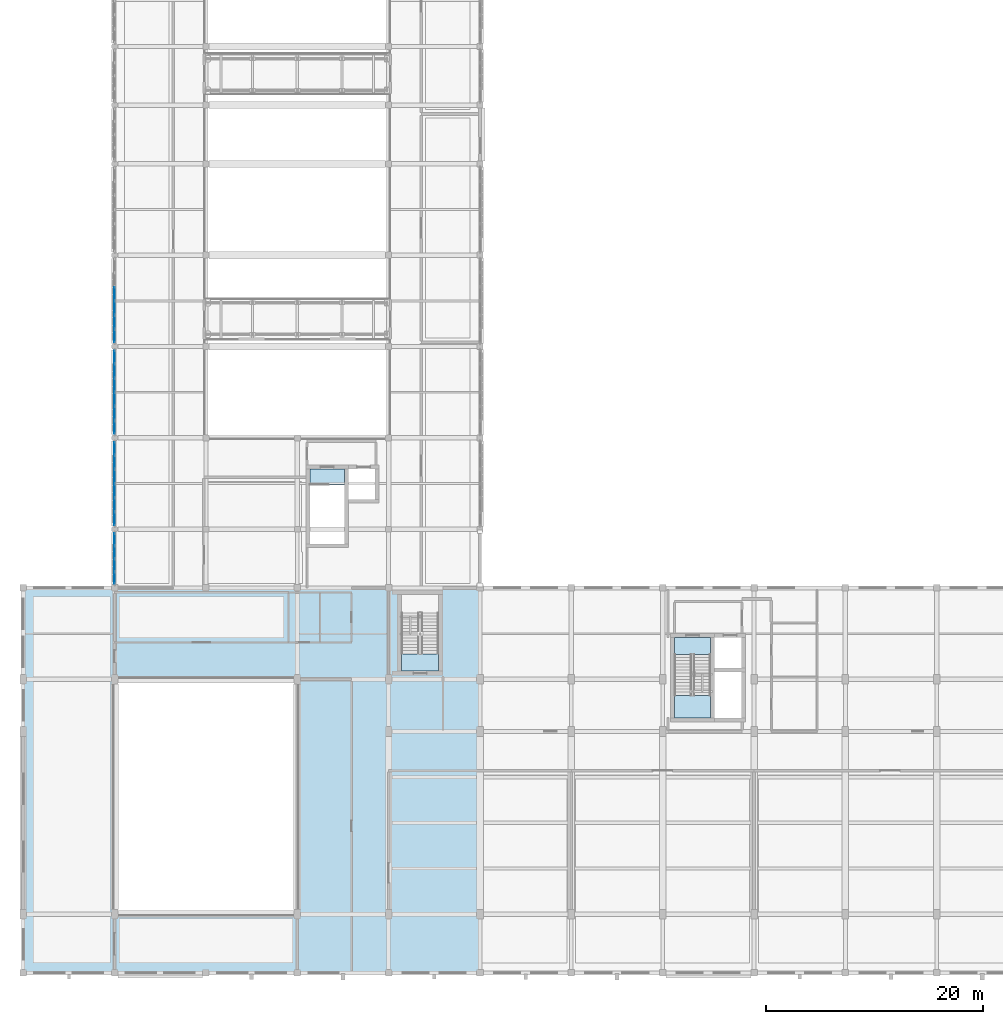
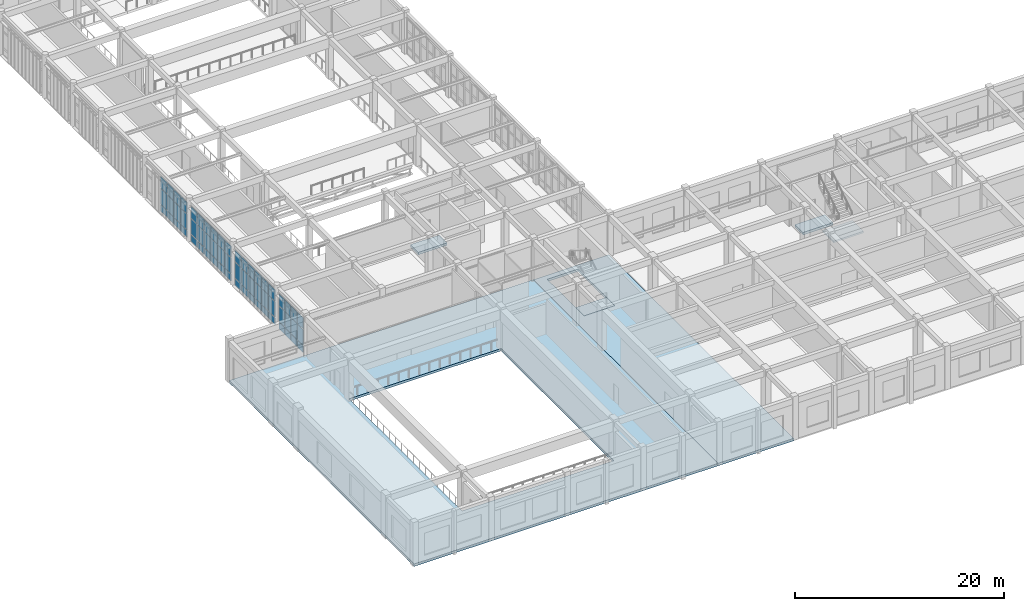
# One storey, part 44 of 77: 60 plates, 6 slabs, 5 elements without a shape of their own.
"""IFC4 building model written with IfcOpenShell, lengths in metres."""

import ifcopenshell
import ifcopenshell.guid

model = None  # the IFC model being written
_history = None  # IfcOwnerHistory: only IFC2X3 demands one
_inside = {}  # id of a spatial element -> (the spatial element, [elements in it])
_under = {}  # id of a project, library or spatial element -> (it, [spatial elements below it])
_declared = {}  # id of a project -> (the project, [libraries it declares])
_typed = {}  # id of a type object -> (the type object, [elements of that type])
_made_of = {}  # id of a material, layer set ... -> (it, [elements and type objects made of it])


def new_model(schema):
    """Start an empty IFC model of exactly this schema.

    Asked for "IFC4X3", IfcOpenShell would pick the latest addendum, in which some entities
    have other attributes; the version numbers below select the first issue.
    IFC2X3 requires an IfcOwnerHistory on every rooted entity: one is made here for all.
    """
    global model, _history
    if schema == "IFC4X3":
        model = ifcopenshell.file(schema_version=(4, 3, 0, 0))
    else:
        model = ifcopenshell.file(schema=schema)
    _inside.clear()
    _under.clear()
    _declared.clear()
    _typed.clear()
    _made_of.clear()
    _history = None
    if model.schema == "IFC2X3":
        org = make("IfcOrganization", Name="unknown")
        user = make(
            "IfcPersonAndOrganization",
            ThePerson=make("IfcPerson", FamilyName="unknown"),
            TheOrganization=org,
        )
        app = make(
            "IfcApplication",
            ApplicationDeveloper=org,
            Version="unknown",
            ApplicationFullName="unknown",
            ApplicationIdentifier="unknown",
        )
        _history = make(
            "IfcOwnerHistory",
            OwningUser=user,
            OwningApplication=app,
            ChangeAction="ADDED",
            CreationDate=0,
        )
    return model


def make(cls, **values):
    """One entity of the class cls with the attributes given. An attribute that is None is left unset."""
    return model.create_entity(
        cls, **{name: value for name, value in values.items() if value is not None}
    )


def rooted(cls, **values):
    """An entity with a GlobalId (a new one), such as an element, a storey or a relation."""
    return make(cls, GlobalId=ifcopenshell.guid.new(), OwnerHistory=_history, **values)


def si_unit(unit_type, name, prefix=None):
    """IfcSIUnit, for example si_unit("LENGTHUNIT", "METRE", prefix="MILLI")."""
    return make("IfcSIUnit", UnitType=unit_type, Prefix=prefix, Name=name)


def assignment(units):
    """IfcUnitAssignment: the units of a project."""
    return None if units is None else make("IfcUnitAssignment", Units=units)


def point(xyz):
    """IfcCartesianPoint."""
    return None if xyz is None else make("IfcCartesianPoint", Coordinates=xyz)


def direction(xyz):
    """IfcDirection."""
    return None if xyz is None else make("IfcDirection", DirectionRatios=xyz)


def frame(location, z_axis=None, x_axis=None):
    """IfcAxis2Placement3D, a coordinate frame: its origin and axes. An axis left out is left unset."""
    return make(
        "IfcAxis2Placement3D",
        Location=point(location),
        Axis=direction(z_axis),
        RefDirection=direction(x_axis),
    )


def frame_2d(location, x_axis=None):
    """IfcAxis2Placement2D, a coordinate frame in the plane: its origin and x axis."""
    return make(
        "IfcAxis2Placement2D", Location=point(location), RefDirection=direction(x_axis)
    )


def origin():
    """The frame at (0, 0, 0) with its axes left unset."""
    return frame((0.0, 0.0, 0.0))


def origin_2d():
    """The frame at (0, 0) in the plane with its x axis left unset."""
    return frame_2d((0.0, 0.0))


def place(relative_to, where):
    """IfcLocalPlacement: puts the frame where relative to a parent placement (None: the world)."""
    return make(
        "IfcLocalPlacement", PlacementRelTo=relative_to, RelativePlacement=where
    )


def context(
    kind, dimensions, precision=None, world=None, true_north=None, identifier=None
):
    """IfcGeometricRepresentationContext, for example the 3D "Model" context."""
    return make(
        "IfcGeometricRepresentationContext",
        ContextIdentifier=identifier,
        ContextType=kind,
        CoordinateSpaceDimension=dimensions,
        Precision=precision,
        WorldCoordinateSystem=world,
        TrueNorth=true_north,
    )


def subcontext(parent, identifier, kind, view, scale=None):
    """IfcGeometricRepresentationSubContext, for example "Body" below "Model"."""
    return make(
        "IfcGeometricRepresentationSubContext",
        ContextIdentifier=identifier,
        ContextType=kind,
        ParentContext=parent,
        TargetScale=scale,
        TargetView=view,
    )


def project(units=None, contexts=None):
    """IfcProject with its units and contexts."""
    return rooted(
        "IfcProject",
        Name="project",
        RepresentationContexts=contexts,
        UnitsInContext=assignment(units),
    )


def spatial(cls, under=None, at=None, **own):
    """A site, building, storey or space (cls), placed at a placement, below another one or the project."""
    s = rooted(cls, ObjectPlacement=at, **own)
    if under is not None:
        _under.setdefault(under.id(), (under, []))[1].append(s)
    return s


def polyline(points):
    """IfcPolyline through the points."""
    return make("IfcPolyline", Points=[point(p) for p in points])


def profile(cls, at=None, kind="AREA", **sizes):
    """A parametric profile (cls). Its sizes go by their IFC names, for example OverallWidth=200.0."""
    return make(cls, ProfileType=kind, Position=at, **sizes)


def rectangle(**sizes):
    """IfcRectangleProfileDef."""
    return profile("IfcRectangleProfileDef", **sizes)


def outline(outer, holes=None, kind="AREA"):
    """IfcArbitraryClosedProfileDef: a profile drawn as a closed curve; with holes, ...WithVoids."""
    if holes is None:
        return make("IfcArbitraryClosedProfileDef", ProfileType=kind, OuterCurve=outer)
    return make(
        "IfcArbitraryProfileDefWithVoids",
        ProfileType=kind,
        OuterCurve=outer,
        InnerCurves=holes,
    )


def extrude(swept, where, along, depth):
    """IfcExtrudedAreaSolid: the profile swept, set in the frame where, extruded along a direction by depth."""
    return make(
        "IfcExtrudedAreaSolid",
        SweptArea=swept,
        Position=where,
        ExtrudedDirection=direction(along),
        Depth=depth,
    )


def shape(context_of_items, identifier, shape_type, items):
    """IfcShapeRepresentation: the items that make up one representation, for example the "Body"."""
    return make(
        "IfcShapeRepresentation",
        ContextOfItems=context_of_items,
        RepresentationIdentifier=identifier,
        RepresentationType=shape_type,
        Items=items,
    )


def material(Name=None, Category=None):
    """IfcMaterial."""
    return make("IfcMaterial", Name=Name, Category=Category)


def layer(
    of_material, thickness, ventilated=None, Name=None, Category=None, Priority=None
):
    """IfcMaterialLayer: one layer of a wall or slab, of a material (None: an air gap)."""
    return make(
        "IfcMaterialLayer",
        Material=of_material,
        LayerThickness=thickness,
        IsVentilated=ventilated,
        Name=Name,
        Category=Category,
        Priority=Priority,
    )


def layer_set(layers, Name=None):
    """IfcMaterialLayerSet."""
    return make("IfcMaterialLayerSet", MaterialLayers=layers, LayerSetName=Name)


def made_of(thing, what):
    """Note that an element or type object is made of a material, layer set ...; save() writes the relation."""
    if what is not None:
        _made_of.setdefault(what.id(), (what, []))[1].append(thing)
    return thing


def type_object(cls, material=None, **own):
    """A type object (cls), such as IfcWallType, which elements share."""
    return made_of(rooted(cls, **own), material)


def element(
    cls,
    number,
    at=None,
    inside=None,
    cuts=None,
    type_object=None,
    material=None,
    context=None,
    identifier="Body",
    shape_type=None,
    held_by="IfcProductDefinitionShape",
    body=None,
    shapes=None,
    **own,
):
    """One element of the class cls, such as IfcWall. Its Tag is "e" and its number.

    at: its placement. inside: the storey or other place that contains it. cuts: it is an
    opening in that element (IfcRelVoidsElement). A single representation is given by context,
    identifier, shape_type and body (its items); several are given by shapes. held_by: the class
    of the entity that holds the representations. save() writes the other relations.
    """
    e = rooted(cls, Tag="e%d" % number, ObjectPlacement=at, **own)
    if body is not None:
        shapes = [shape(context, identifier, shape_type, body)]
    if shapes is not None:
        e.Representation = make(held_by, Representations=shapes)
    if inside is not None:
        _inside.setdefault(inside.id(), (inside, []))[1].append(e)
    if cuts is not None:
        rooted(
            "IfcRelVoidsElement", RelatingBuildingElement=cuts, RelatedOpeningElement=e
        )
    if type_object is not None:
        _typed.setdefault(type_object.id(), (type_object, []))[1].append(e)
    return made_of(e, material)


def aggregate(whole, parts):
    """IfcRelAggregates: a whole, such as a stair, and the parts it consists of."""
    return rooted("IfcRelAggregates", RelatingObject=whole, RelatedObjects=parts)


def save(model, path):
    """Write the relations noted so far, then the file.

    IfcRelAggregates (storeys below a building ...), IfcRelContainedInSpatialStructure (elements
    in a storey), IfcRelDefinesByType, IfcRelAssociatesMaterial and IfcRelDeclares: one each for
    every whole, place, type object, material and project.
    """
    for whole, parts in _under.values():
        aggregate(whole, parts)
    for where, things in _inside.values():
        rooted(
            "IfcRelContainedInSpatialStructure",
            RelatedElements=things,
            RelatingStructure=where,
        )
    for kind, things in _typed.values():
        rooted("IfcRelDefinesByType", RelatedObjects=things, RelatingType=kind)
    for what, things in _made_of.values():
        rooted("IfcRelAssociatesMaterial", RelatedObjects=things, RelatingMaterial=what)
    for by, libraries in _declared.values():
        rooted("IfcRelDeclares", RelatingContext=by, RelatedDefinitions=libraries)
    model.write(path)


model = new_model("IFC4")

# Units and contexts
model_context = context("Model", 3, precision=1e-05, world=origin(), true_north=direction((0.0, 1.0)))
body_context = subcontext(model_context, "Body", "Model", "MODEL_VIEW")
ifc_project = project(units=[si_unit("LENGTHUNIT", "METRE"), si_unit("AREAUNIT", "SQUARE_METRE"), si_unit("VOLUMEUNIT", "CUBIC_METRE"), si_unit("PLANEANGLEUNIT", "RADIAN"), si_unit("MASSUNIT", "GRAM", prefix="KILO")], contexts=[model_context])

# Site, building, storey
site_placement = place(None, origin())
site = spatial("IfcSite", under=ifc_project, at=site_placement, CompositionType="ELEMENT")
building_placement = place(site_placement, origin())
building = spatial("IfcBuilding", under=site, at=building_placement, Name="Krzemoval Escarpment Law Courts", CompositionType="ELEMENT")
storey_placement = place(building_placement, frame((0.0, 0.0, 15.300048828125)))
storey = spatial("IfcBuildingStorey", under=building, at=storey_placement, Name="L03", CompositionType="ELEMENT", Elevation=15.300048828125)

# Curtain wall, plates
ifc_material_1 = material(Name="Aluminium 6063-T6", Category="aluminium")
ifc_layer_1 = layer(ifc_material_1, 0.280029296875)
ifc_layer_set_1 = layer_set([ifc_layer_1], Name="Aluminium 6063-T6")
curtain_wall_type = type_object("IfcCurtainWallType", Name="CW-HALL-5100", PredefinedType="USERDEFINED", material=ifc_layer_set_1)
curtain_wall_1_placement = place(storey_placement, origin())
curtain_wall_1 = element("IfcCurtainWall", 1, at=curtain_wall_1_placement, inside=storey, type_object=curtain_wall_type, Name="Unitised Curtain Wall FCW-L03-096", ObjectType="UNITISED_CURTAIN_WALL", PredefinedType="USERDEFINED")
ifc_material_2 = material(Name="Triple Glazing IGU", Category="glass")
ifc_layer_2 = layer(ifc_material_2, 0.053955078125)
ifc_layer_set_2 = layer_set([ifc_layer_2], Name="Triple Glazing IGU")
plate_type = type_object("IfcPlateType", Name="CWP-GLZ-54", PredefinedType="CURTAIN_PANEL", material=ifc_layer_set_2)
plate_1_placement = place(storey_placement, frame((8.39990234375, 36.3212890625, 0.0849609375), z_axis=(0.0, 0.0, 1.0), x_axis=(0.0, 1.0, 0.0)))
plate_1 = element("IfcPlate", 2, at=plate_1_placement, type_object=plate_type, Name="FCW-L03-096 panel 1.1", PredefinedType="CURTAIN_PANEL", context=body_context, shape_type="SweptSolid", body=[
    extrude(rectangle(XDim=1.072509765625, YDim=0.053955078125, at=origin_2d()), origin(), (0.0, 0.0, 1.0), 0.7724609375),
])
plate_2_placement = place(storey_placement, frame((8.39990234375, 36.3212890625, 0.9423828125), z_axis=(0.0, 0.0, 1.0), x_axis=(0.0, 1.0, 0.0)))
plate_2 = element("IfcPlate", 3, at=plate_2_placement, type_object=plate_type, Name="FCW-L03-096 panel 1.2", PredefinedType="CURTAIN_PANEL", context=body_context, shape_type="SweptSolid", body=[
    extrude(rectangle(XDim=1.072509765625, YDim=0.053955078125, at=origin_2d()), origin(), (0.0, 0.0, 1.0), 1.81494140625),
])
plate_3_placement = place(storey_placement, frame((8.39990234375, 36.3212890625, 2.842529296875), z_axis=(0.0, 0.0, 1.0), x_axis=(0.0, 1.0, 0.0)))
plate_3 = element("IfcPlate", 4, at=plate_3_placement, type_object=plate_type, Name="FCW-L03-096 panel 1.3", PredefinedType="CURTAIN_PANEL", context=body_context, shape_type="SweptSolid", body=[
    extrude(rectangle(XDim=1.072509765625, YDim=0.053955078125, at=origin_2d()), origin(), (0.0, 0.0, 1.0), 1.3125),
])
plate_4_placement = place(storey_placement, frame((8.39990234375, 37.5, 0.0849609375), z_axis=(0.0, 0.0, 1.0), x_axis=(0.0, 1.0, 0.0)))
plate_4 = element("IfcPlate", 5, at=plate_4_placement, type_object=plate_type, Name="FCW-L03-096 panel 2.1", PredefinedType="CURTAIN_PANEL", context=body_context, shape_type="SweptSolid", body=[
    extrude(rectangle(XDim=1.114990234375, YDim=0.053955078125, at=origin_2d()), origin(), (0.0, 0.0, 1.0), 0.7724609375),
])
plate_5_placement = place(storey_placement, frame((8.39990234375, 37.5, 0.9423828125), z_axis=(0.0, 0.0, 1.0), x_axis=(0.0, 1.0, 0.0)))
plate_5 = element("IfcPlate", 6, at=plate_5_placement, type_object=plate_type, Name="FCW-L03-096 panel 2.2", PredefinedType="CURTAIN_PANEL", context=body_context, shape_type="SweptSolid", body=[
    extrude(rectangle(XDim=1.114990234375, YDim=0.053955078125, at=origin_2d()), origin(), (0.0, 0.0, 1.0), 1.81494140625),
])
plate_6_placement = place(storey_placement, frame((8.39990234375, 37.5, 2.842529296875), z_axis=(0.0, 0.0, 1.0), x_axis=(0.0, 1.0, 0.0)))
plate_6 = element("IfcPlate", 7, at=plate_6_placement, type_object=plate_type, Name="FCW-L03-096 panel 2.3", PredefinedType="CURTAIN_PANEL", context=body_context, shape_type="SweptSolid", body=[
    extrude(rectangle(XDim=1.114990234375, YDim=0.053955078125, at=origin_2d()), origin(), (0.0, 0.0, 1.0), 1.3125),
])
plate_7_placement = place(storey_placement, frame((8.39990234375, 38.699951171875, 0.0849609375), z_axis=(0.0, 0.0, 1.0), x_axis=(0.0, 1.0, 0.0)))
plate_7 = element("IfcPlate", 8, at=plate_7_placement, type_object=plate_type, Name="FCW-L03-096 panel 3.1", PredefinedType="CURTAIN_PANEL", context=body_context, shape_type="SweptSolid", body=[
    extrude(rectangle(XDim=1.114990234375, YDim=0.053955078125, at=origin_2d()), origin(), (0.0, 0.0, 1.0), 0.7724609375),
])
plate_8_placement = place(storey_placement, frame((8.39990234375, 38.699951171875, 0.9423828125), z_axis=(0.0, 0.0, 1.0), x_axis=(0.0, 1.0, 0.0)))
plate_8 = element("IfcPlate", 9, at=plate_8_placement, type_object=plate_type, Name="FCW-L03-096 panel 3.2", PredefinedType="CURTAIN_PANEL", context=body_context, shape_type="SweptSolid", body=[
    extrude(rectangle(XDim=1.114990234375, YDim=0.053955078125, at=origin_2d()), origin(), (0.0, 0.0, 1.0), 1.81494140625),
])
plate_9_placement = place(storey_placement, frame((8.39990234375, 38.699951171875, 2.842529296875), z_axis=(0.0, 0.0, 1.0), x_axis=(0.0, 1.0, 0.0)))
plate_9 = element("IfcPlate", 10, at=plate_9_placement, type_object=plate_type, Name="FCW-L03-096 panel 3.3", PredefinedType="CURTAIN_PANEL", context=body_context, shape_type="SweptSolid", body=[
    extrude(rectangle(XDim=1.114990234375, YDim=0.053955078125, at=origin_2d()), origin(), (0.0, 0.0, 1.0), 1.3125),
])
plate_10_placement = place(storey_placement, frame((8.39990234375, 39.878662109375, 0.0849609375), z_axis=(0.0, 0.0, 1.0), x_axis=(0.0, 1.0, 0.0)))
plate_10 = element("IfcPlate", 11, at=plate_10_placement, type_object=plate_type, Name="FCW-L03-096 panel 4.1", PredefinedType="CURTAIN_PANEL", context=body_context, shape_type="SweptSolid", body=[
    extrude(rectangle(XDim=1.072509765625, YDim=0.053955078125, at=origin_2d()), origin(), (0.0, 0.0, 1.0), 0.7724609375),
])
plate_11_placement = place(storey_placement, frame((8.39990234375, 39.878662109375, 0.9423828125), z_axis=(0.0, 0.0, 1.0), x_axis=(0.0, 1.0, 0.0)))
plate_11 = element("IfcPlate", 12, at=plate_11_placement, type_object=plate_type, Name="FCW-L03-096 panel 4.2", PredefinedType="CURTAIN_PANEL", context=body_context, shape_type="SweptSolid", body=[
    extrude(rectangle(XDim=1.072509765625, YDim=0.053955078125, at=origin_2d()), origin(), (0.0, 0.0, 1.0), 1.81494140625),
])
plate_12_placement = place(storey_placement, frame((8.39990234375, 39.878662109375, 2.842529296875), z_axis=(0.0, 0.0, 1.0), x_axis=(0.0, 1.0, 0.0)))
plate_12 = element("IfcPlate", 13, at=plate_12_placement, type_object=plate_type, Name="FCW-L03-096 panel 4.3", PredefinedType="CURTAIN_PANEL", context=body_context, shape_type="SweptSolid", body=[
    extrude(rectangle(XDim=1.072509765625, YDim=0.053955078125, at=origin_2d()), origin(), (0.0, 0.0, 1.0), 1.3125),
])
aggregate(curtain_wall_1, [plate_1, plate_2, plate_3, plate_4, plate_5, plate_6, plate_7, plate_8, plate_9, plate_10, plate_11, plate_12])

curtain_wall_2_placement = place(storey_placement, origin())
curtain_wall_2 = element("IfcCurtainWall", 14, at=curtain_wall_2_placement, inside=storey, type_object=curtain_wall_type, Name="Unitised Curtain Wall FCW-L03-097", ObjectType="UNITISED_CURTAIN_WALL", PredefinedType="USERDEFINED")
plate_13_placement = place(storey_placement, frame((8.39990234375, 41.771240234375, 0.0849609375), z_axis=(0.0, 0.0, 1.0), x_axis=(0.0, 1.0, 0.0)))
plate_13 = element("IfcPlate", 15, at=plate_13_placement, type_object=plate_type, Name="FCW-L03-097 panel 1.1", PredefinedType="CURTAIN_PANEL", context=body_context, shape_type="SweptSolid", body=[
    extrude(rectangle(XDim=1.172607421875, YDim=0.053955078125, at=origin_2d()), origin(), (0.0, 0.0, 1.0), 0.7724609375),
])
plate_14_placement = place(storey_placement, frame((8.39990234375, 41.771240234375, 0.9423828125), z_axis=(0.0, 0.0, 1.0), x_axis=(0.0, 1.0, 0.0)))
plate_14 = element("IfcPlate", 16, at=plate_14_placement, type_object=plate_type, Name="FCW-L03-097 panel 1.2", PredefinedType="CURTAIN_PANEL", context=body_context, shape_type="SweptSolid", body=[
    extrude(rectangle(XDim=1.172607421875, YDim=0.053955078125, at=origin_2d()), origin(), (0.0, 0.0, 1.0), 1.81494140625),
])
plate_15_placement = place(storey_placement, frame((8.39990234375, 41.771240234375, 2.842529296875), z_axis=(0.0, 0.0, 1.0), x_axis=(0.0, 1.0, 0.0)))
plate_15 = element("IfcPlate", 17, at=plate_15_placement, type_object=plate_type, Name="FCW-L03-097 panel 1.3", PredefinedType="CURTAIN_PANEL", context=body_context, shape_type="SweptSolid", body=[
    extrude(rectangle(XDim=1.172607421875, YDim=0.053955078125, at=origin_2d()), origin(), (0.0, 0.0, 1.0), 1.3125),
])
plate_16_placement = place(storey_placement, frame((8.39990234375, 43.050048828125, 0.0849609375), z_axis=(0.0, 0.0, 1.0), x_axis=(0.0, 1.0, 0.0)))
plate_16 = element("IfcPlate", 18, at=plate_16_placement, type_object=plate_type, Name="FCW-L03-097 panel 2.1", PredefinedType="CURTAIN_PANEL", context=body_context, shape_type="SweptSolid", body=[
    extrude(rectangle(XDim=1.215087890625, YDim=0.053955078125, at=origin_2d()), origin(), (0.0, 0.0, 1.0), 0.7724609375),
])
plate_17_placement = place(storey_placement, frame((8.39990234375, 43.050048828125, 0.9423828125), z_axis=(0.0, 0.0, 1.0), x_axis=(0.0, 1.0, 0.0)))
plate_17 = element("IfcPlate", 19, at=plate_17_placement, type_object=plate_type, Name="FCW-L03-097 panel 2.2", PredefinedType="CURTAIN_PANEL", context=body_context, shape_type="SweptSolid", body=[
    extrude(rectangle(XDim=1.215087890625, YDim=0.053955078125, at=origin_2d()), origin(), (0.0, 0.0, 1.0), 1.81494140625),
])
plate_18_placement = place(storey_placement, frame((8.39990234375, 43.050048828125, 2.842529296875), z_axis=(0.0, 0.0, 1.0), x_axis=(0.0, 1.0, 0.0)))
plate_18 = element("IfcPlate", 20, at=plate_18_placement, type_object=plate_type, Name="FCW-L03-097 panel 2.3", PredefinedType="CURTAIN_PANEL", context=body_context, shape_type="SweptSolid", body=[
    extrude(rectangle(XDim=1.215087890625, YDim=0.053955078125, at=origin_2d()), origin(), (0.0, 0.0, 1.0), 1.3125),
])
plate_19_placement = place(storey_placement, frame((8.39990234375, 44.35009765625, 0.0849609375), z_axis=(0.0, 0.0, 1.0), x_axis=(0.0, 1.0, 0.0)))
plate_19 = element("IfcPlate", 21, at=plate_19_placement, type_object=plate_type, Name="FCW-L03-097 panel 3.1", PredefinedType="CURTAIN_PANEL", context=body_context, shape_type="SweptSolid", body=[
    extrude(rectangle(XDim=1.215087890625, YDim=0.053955078125, at=origin_2d()), origin(), (0.0, 0.0, 1.0), 0.7724609375),
])
plate_20_placement = place(storey_placement, frame((8.39990234375, 44.35009765625, 0.9423828125), z_axis=(0.0, 0.0, 1.0), x_axis=(0.0, 1.0, 0.0)))
plate_20 = element("IfcPlate", 22, at=plate_20_placement, type_object=plate_type, Name="FCW-L03-097 panel 3.2", PredefinedType="CURTAIN_PANEL", context=body_context, shape_type="SweptSolid", body=[
    extrude(rectangle(XDim=1.215087890625, YDim=0.053955078125, at=origin_2d()), origin(), (0.0, 0.0, 1.0), 1.81494140625),
])
plate_21_placement = place(storey_placement, frame((8.39990234375, 44.35009765625, 2.842529296875), z_axis=(0.0, 0.0, 1.0), x_axis=(0.0, 1.0, 0.0)))
plate_21 = element("IfcPlate", 23, at=plate_21_placement, type_object=plate_type, Name="FCW-L03-097 panel 3.3", PredefinedType="CURTAIN_PANEL", context=body_context, shape_type="SweptSolid", body=[
    extrude(rectangle(XDim=1.215087890625, YDim=0.053955078125, at=origin_2d()), origin(), (0.0, 0.0, 1.0), 1.3125),
])
plate_22_placement = place(storey_placement, frame((8.39990234375, 45.64990234375, 0.0849609375), z_axis=(0.0, 0.0, 1.0), x_axis=(0.0, 1.0, 0.0)))
plate_22 = element("IfcPlate", 24, at=plate_22_placement, type_object=plate_type, Name="FCW-L03-097 panel 4.1", PredefinedType="CURTAIN_PANEL", context=body_context, shape_type="SweptSolid", body=[
    extrude(rectangle(XDim=1.215087890625, YDim=0.053955078125, at=origin_2d()), origin(), (0.0, 0.0, 1.0), 0.7724609375),
])
plate_23_placement = place(storey_placement, frame((8.39990234375, 45.64990234375, 0.9423828125), z_axis=(0.0, 0.0, 1.0), x_axis=(0.0, 1.0, 0.0)))
plate_23 = element("IfcPlate", 25, at=plate_23_placement, type_object=plate_type, Name="FCW-L03-097 panel 4.2", PredefinedType="CURTAIN_PANEL", context=body_context, shape_type="SweptSolid", body=[
    extrude(rectangle(XDim=1.215087890625, YDim=0.053955078125, at=origin_2d()), origin(), (0.0, 0.0, 1.0), 1.81494140625),
])
plate_24_placement = place(storey_placement, frame((8.39990234375, 45.64990234375, 2.842529296875), z_axis=(0.0, 0.0, 1.0), x_axis=(0.0, 1.0, 0.0)))
plate_24 = element("IfcPlate", 26, at=plate_24_placement, type_object=plate_type, Name="FCW-L03-097 panel 4.3", PredefinedType="CURTAIN_PANEL", context=body_context, shape_type="SweptSolid", body=[
    extrude(rectangle(XDim=1.215087890625, YDim=0.053955078125, at=origin_2d()), origin(), (0.0, 0.0, 1.0), 1.3125),
])
plate_25_placement = place(storey_placement, frame((8.39990234375, 46.949951171875, 0.0849609375), z_axis=(0.0, 0.0, 1.0), x_axis=(0.0, 1.0, 0.0)))
plate_25 = element("IfcPlate", 27, at=plate_25_placement, type_object=plate_type, Name="FCW-L03-097 panel 5.1", PredefinedType="CURTAIN_PANEL", context=body_context, shape_type="SweptSolid", body=[
    extrude(rectangle(XDim=1.215087890625, YDim=0.053955078125, at=origin_2d()), origin(), (0.0, 0.0, 1.0), 0.7724609375),
])
plate_26_placement = place(storey_placement, frame((8.39990234375, 46.949951171875, 0.9423828125), z_axis=(0.0, 0.0, 1.0), x_axis=(0.0, 1.0, 0.0)))
plate_26 = element("IfcPlate", 28, at=plate_26_placement, type_object=plate_type, Name="FCW-L03-097 panel 5.2", PredefinedType="CURTAIN_PANEL", context=body_context, shape_type="SweptSolid", body=[
    extrude(rectangle(XDim=1.215087890625, YDim=0.053955078125, at=origin_2d()), origin(), (0.0, 0.0, 1.0), 1.81494140625),
])
plate_27_placement = place(storey_placement, frame((8.39990234375, 46.949951171875, 2.842529296875), z_axis=(0.0, 0.0, 1.0), x_axis=(0.0, 1.0, 0.0)))
plate_27 = element("IfcPlate", 29, at=plate_27_placement, type_object=plate_type, Name="FCW-L03-097 panel 5.3", PredefinedType="CURTAIN_PANEL", context=body_context, shape_type="SweptSolid", body=[
    extrude(rectangle(XDim=1.215087890625, YDim=0.053955078125, at=origin_2d()), origin(), (0.0, 0.0, 1.0), 1.3125),
])
plate_28_placement = place(storey_placement, frame((8.39990234375, 48.228759765625, 0.0849609375), z_axis=(0.0, 0.0, 1.0), x_axis=(0.0, 1.0, 0.0)))
plate_28 = element("IfcPlate", 30, at=plate_28_placement, type_object=plate_type, Name="FCW-L03-097 panel 6.1", PredefinedType="CURTAIN_PANEL", context=body_context, shape_type="SweptSolid", body=[
    extrude(rectangle(XDim=1.172607421875, YDim=0.053955078125, at=origin_2d()), origin(), (0.0, 0.0, 1.0), 0.7724609375),
])
plate_29_placement = place(storey_placement, frame((8.39990234375, 48.228759765625, 0.9423828125), z_axis=(0.0, 0.0, 1.0), x_axis=(0.0, 1.0, 0.0)))
plate_29 = element("IfcPlate", 31, at=plate_29_placement, type_object=plate_type, Name="FCW-L03-097 panel 6.2", PredefinedType="CURTAIN_PANEL", context=body_context, shape_type="SweptSolid", body=[
    extrude(rectangle(XDim=1.172607421875, YDim=0.053955078125, at=origin_2d()), origin(), (0.0, 0.0, 1.0), 1.81494140625),
])
plate_30_placement = place(storey_placement, frame((8.39990234375, 48.228759765625, 2.842529296875), z_axis=(0.0, 0.0, 1.0), x_axis=(0.0, 1.0, 0.0)))
plate_30 = element("IfcPlate", 32, at=plate_30_placement, type_object=plate_type, Name="FCW-L03-097 panel 6.3", PredefinedType="CURTAIN_PANEL", context=body_context, shape_type="SweptSolid", body=[
    extrude(rectangle(XDim=1.172607421875, YDim=0.053955078125, at=origin_2d()), origin(), (0.0, 0.0, 1.0), 1.3125),
])
aggregate(curtain_wall_2, [plate_13, plate_14, plate_15, plate_16, plate_17, plate_18, plate_19, plate_20, plate_21, plate_22, plate_23, plate_24, plate_25, plate_26, plate_27, plate_28, plate_29, plate_30])

curtain_wall_3_placement = place(storey_placement, origin())
curtain_wall_3 = element("IfcCurtainWall", 33, at=curtain_wall_3_placement, inside=storey, type_object=curtain_wall_type, Name="Unitised Curtain Wall FCW-L03-098", ObjectType="UNITISED_CURTAIN_WALL", PredefinedType="USERDEFINED")
plate_31_placement = place(storey_placement, frame((8.39990234375, 50.171142578125, 0.0849609375), z_axis=(0.0, 0.0, 1.0), x_axis=(0.0, 1.0, 0.0)))
plate_31 = element("IfcPlate", 34, at=plate_31_placement, type_object=plate_type, Name="FCW-L03-098 panel 1.1", PredefinedType="CURTAIN_PANEL", context=body_context, shape_type="SweptSolid", body=[
    extrude(rectangle(XDim=1.172607421875, YDim=0.053955078125, at=origin_2d()), origin(), (0.0, 0.0, 1.0), 0.7724609375),
])
plate_32_placement = place(storey_placement, frame((8.39990234375, 50.171142578125, 0.9423828125), z_axis=(0.0, 0.0, 1.0), x_axis=(0.0, 1.0, 0.0)))
plate_32 = element("IfcPlate", 35, at=plate_32_placement, type_object=plate_type, Name="FCW-L03-098 panel 1.2", PredefinedType="CURTAIN_PANEL", context=body_context, shape_type="SweptSolid", body=[
    extrude(rectangle(XDim=1.172607421875, YDim=0.053955078125, at=origin_2d()), origin(), (0.0, 0.0, 1.0), 1.81494140625),
])
plate_33_placement = place(storey_placement, frame((8.39990234375, 50.171142578125, 2.842529296875), z_axis=(0.0, 0.0, 1.0), x_axis=(0.0, 1.0, 0.0)))
plate_33 = element("IfcPlate", 36, at=plate_33_placement, type_object=plate_type, Name="FCW-L03-098 panel 1.3", PredefinedType="CURTAIN_PANEL", context=body_context, shape_type="SweptSolid", body=[
    extrude(rectangle(XDim=1.172607421875, YDim=0.053955078125, at=origin_2d()), origin(), (0.0, 0.0, 1.0), 1.3125),
])
plate_34_placement = place(storey_placement, frame((8.39990234375, 51.449951171875, 0.0849609375), z_axis=(0.0, 0.0, 1.0), x_axis=(0.0, 1.0, 0.0)))
plate_34 = element("IfcPlate", 37, at=plate_34_placement, type_object=plate_type, Name="FCW-L03-098 panel 2.1", PredefinedType="CURTAIN_PANEL", context=body_context, shape_type="SweptSolid", body=[
    extrude(rectangle(XDim=1.215087890625, YDim=0.053955078125, at=origin_2d()), origin(), (0.0, 0.0, 1.0), 0.7724609375),
])
plate_35_placement = place(storey_placement, frame((8.39990234375, 51.449951171875, 0.9423828125), z_axis=(0.0, 0.0, 1.0), x_axis=(0.0, 1.0, 0.0)))
plate_35 = element("IfcPlate", 38, at=plate_35_placement, type_object=plate_type, Name="FCW-L03-098 panel 2.2", PredefinedType="CURTAIN_PANEL", context=body_context, shape_type="SweptSolid", body=[
    extrude(rectangle(XDim=1.215087890625, YDim=0.053955078125, at=origin_2d()), origin(), (0.0, 0.0, 1.0), 1.81494140625),
])
plate_36_placement = place(storey_placement, frame((8.39990234375, 51.449951171875, 2.842529296875), z_axis=(0.0, 0.0, 1.0), x_axis=(0.0, 1.0, 0.0)))
plate_36 = element("IfcPlate", 39, at=plate_36_placement, type_object=plate_type, Name="FCW-L03-098 panel 2.3", PredefinedType="CURTAIN_PANEL", context=body_context, shape_type="SweptSolid", body=[
    extrude(rectangle(XDim=1.215087890625, YDim=0.053955078125, at=origin_2d()), origin(), (0.0, 0.0, 1.0), 1.3125),
])
plate_37_placement = place(storey_placement, frame((8.39990234375, 52.75, 0.0849609375), z_axis=(0.0, 0.0, 1.0), x_axis=(0.0, 1.0, 0.0)))
plate_37 = element("IfcPlate", 40, at=plate_37_placement, type_object=plate_type, Name="FCW-L03-098 panel 3.1", PredefinedType="CURTAIN_PANEL", context=body_context, shape_type="SweptSolid", body=[
    extrude(rectangle(XDim=1.215087890625, YDim=0.053955078125, at=origin_2d()), origin(), (0.0, 0.0, 1.0), 0.7724609375),
])
plate_38_placement = place(storey_placement, frame((8.39990234375, 52.75, 0.9423828125), z_axis=(0.0, 0.0, 1.0), x_axis=(0.0, 1.0, 0.0)))
plate_38 = element("IfcPlate", 41, at=plate_38_placement, type_object=plate_type, Name="FCW-L03-098 panel 3.2", PredefinedType="CURTAIN_PANEL", context=body_context, shape_type="SweptSolid", body=[
    extrude(rectangle(XDim=1.215087890625, YDim=0.053955078125, at=origin_2d()), origin(), (0.0, 0.0, 1.0), 1.81494140625),
])
plate_39_placement = place(storey_placement, frame((8.39990234375, 52.75, 2.842529296875), z_axis=(0.0, 0.0, 1.0), x_axis=(0.0, 1.0, 0.0)))
plate_39 = element("IfcPlate", 42, at=plate_39_placement, type_object=plate_type, Name="FCW-L03-098 panel 3.3", PredefinedType="CURTAIN_PANEL", context=body_context, shape_type="SweptSolid", body=[
    extrude(rectangle(XDim=1.215087890625, YDim=0.053955078125, at=origin_2d()), origin(), (0.0, 0.0, 1.0), 1.3125),
])
plate_40_placement = place(storey_placement, frame((8.39990234375, 54.050048828125, 0.0849609375), z_axis=(0.0, 0.0, 1.0), x_axis=(0.0, 1.0, 0.0)))
plate_40 = element("IfcPlate", 43, at=plate_40_placement, type_object=plate_type, Name="FCW-L03-098 panel 4.1", PredefinedType="CURTAIN_PANEL", context=body_context, shape_type="SweptSolid", body=[
    extrude(rectangle(XDim=1.215087890625, YDim=0.053955078125, at=origin_2d()), origin(), (0.0, 0.0, 1.0), 0.7724609375),
])
plate_41_placement = place(storey_placement, frame((8.39990234375, 54.050048828125, 0.9423828125), z_axis=(0.0, 0.0, 1.0), x_axis=(0.0, 1.0, 0.0)))
plate_41 = element("IfcPlate", 44, at=plate_41_placement, type_object=plate_type, Name="FCW-L03-098 panel 4.2", PredefinedType="CURTAIN_PANEL", context=body_context, shape_type="SweptSolid", body=[
    extrude(rectangle(XDim=1.215087890625, YDim=0.053955078125, at=origin_2d()), origin(), (0.0, 0.0, 1.0), 1.81494140625),
])
plate_42_placement = place(storey_placement, frame((8.39990234375, 54.050048828125, 2.842529296875), z_axis=(0.0, 0.0, 1.0), x_axis=(0.0, 1.0, 0.0)))
plate_42 = element("IfcPlate", 45, at=plate_42_placement, type_object=plate_type, Name="FCW-L03-098 panel 4.3", PredefinedType="CURTAIN_PANEL", context=body_context, shape_type="SweptSolid", body=[
    extrude(rectangle(XDim=1.215087890625, YDim=0.053955078125, at=origin_2d()), origin(), (0.0, 0.0, 1.0), 1.3125),
])
plate_43_placement = place(storey_placement, frame((8.39990234375, 55.35009765625, 0.0849609375), z_axis=(0.0, 0.0, 1.0), x_axis=(0.0, 1.0, 0.0)))
plate_43 = element("IfcPlate", 46, at=plate_43_placement, type_object=plate_type, Name="FCW-L03-098 panel 5.1", PredefinedType="CURTAIN_PANEL", context=body_context, shape_type="SweptSolid", body=[
    extrude(rectangle(XDim=1.215087890625, YDim=0.053955078125, at=origin_2d()), origin(), (0.0, 0.0, 1.0), 0.7724609375),
])
plate_44_placement = place(storey_placement, frame((8.39990234375, 55.35009765625, 0.9423828125), z_axis=(0.0, 0.0, 1.0), x_axis=(0.0, 1.0, 0.0)))
plate_44 = element("IfcPlate", 47, at=plate_44_placement, type_object=plate_type, Name="FCW-L03-098 panel 5.2", PredefinedType="CURTAIN_PANEL", context=body_context, shape_type="SweptSolid", body=[
    extrude(rectangle(XDim=1.215087890625, YDim=0.053955078125, at=origin_2d()), origin(), (0.0, 0.0, 1.0), 1.81494140625),
])
plate_45_placement = place(storey_placement, frame((8.39990234375, 55.35009765625, 2.842529296875), z_axis=(0.0, 0.0, 1.0), x_axis=(0.0, 1.0, 0.0)))
plate_45 = element("IfcPlate", 48, at=plate_45_placement, type_object=plate_type, Name="FCW-L03-098 panel 5.3", PredefinedType="CURTAIN_PANEL", context=body_context, shape_type="SweptSolid", body=[
    extrude(rectangle(XDim=1.215087890625, YDim=0.053955078125, at=origin_2d()), origin(), (0.0, 0.0, 1.0), 1.3125),
])
plate_46_placement = place(storey_placement, frame((8.39990234375, 56.628662109375, 0.0849609375), z_axis=(0.0, 0.0, 1.0), x_axis=(0.0, 1.0, 0.0)))
plate_46 = element("IfcPlate", 49, at=plate_46_placement, type_object=plate_type, Name="FCW-L03-098 panel 6.1", PredefinedType="CURTAIN_PANEL", context=body_context, shape_type="SweptSolid", body=[
    extrude(rectangle(XDim=1.172607421875, YDim=0.053955078125, at=origin_2d()), origin(), (0.0, 0.0, 1.0), 0.7724609375),
])
plate_47_placement = place(storey_placement, frame((8.39990234375, 56.628662109375, 0.9423828125), z_axis=(0.0, 0.0, 1.0), x_axis=(0.0, 1.0, 0.0)))
plate_47 = element("IfcPlate", 50, at=plate_47_placement, type_object=plate_type, Name="FCW-L03-098 panel 6.2", PredefinedType="CURTAIN_PANEL", context=body_context, shape_type="SweptSolid", body=[
    extrude(rectangle(XDim=1.172607421875, YDim=0.053955078125, at=origin_2d()), origin(), (0.0, 0.0, 1.0), 1.81494140625),
])
plate_48_placement = place(storey_placement, frame((8.39990234375, 56.628662109375, 2.842529296875), z_axis=(0.0, 0.0, 1.0), x_axis=(0.0, 1.0, 0.0)))
plate_48 = element("IfcPlate", 51, at=plate_48_placement, type_object=plate_type, Name="FCW-L03-098 panel 6.3", PredefinedType="CURTAIN_PANEL", context=body_context, shape_type="SweptSolid", body=[
    extrude(rectangle(XDim=1.172607421875, YDim=0.053955078125, at=origin_2d()), origin(), (0.0, 0.0, 1.0), 1.3125),
])
aggregate(curtain_wall_3, [plate_31, plate_32, plate_33, plate_34, plate_35, plate_36, plate_37, plate_38, plate_39, plate_40, plate_41, plate_42, plate_43, plate_44, plate_45, plate_46, plate_47, plate_48])

curtain_wall_4_placement = place(storey_placement, origin())
curtain_wall_4 = element("IfcCurtainWall", 52, at=curtain_wall_4_placement, inside=storey, type_object=curtain_wall_type, Name="Unitised Curtain Wall FCW-L03-099", ObjectType="UNITISED_CURTAIN_WALL", PredefinedType="USERDEFINED")
plate_49_placement = place(storey_placement, frame((8.39990234375, 58.5712890625, 0.0849609375), z_axis=(0.0, 0.0, 1.0), x_axis=(0.0, 1.0, 0.0)))
plate_49 = element("IfcPlate", 53, at=plate_49_placement, type_object=plate_type, Name="FCW-L03-099 panel 1.1", PredefinedType="CURTAIN_PANEL", context=body_context, shape_type="SweptSolid", body=[
    extrude(rectangle(XDim=1.172607421875, YDim=0.053955078125, at=origin_2d()), origin(), (0.0, 0.0, 1.0), 0.7724609375),
])
plate_50_placement = place(storey_placement, frame((8.39990234375, 58.5712890625, 0.9423828125), z_axis=(0.0, 0.0, 1.0), x_axis=(0.0, 1.0, 0.0)))
plate_50 = element("IfcPlate", 54, at=plate_50_placement, type_object=plate_type, Name="FCW-L03-099 panel 1.2", PredefinedType="CURTAIN_PANEL", context=body_context, shape_type="SweptSolid", body=[
    extrude(rectangle(XDim=1.172607421875, YDim=0.053955078125, at=origin_2d()), origin(), (0.0, 0.0, 1.0), 1.81494140625),
])
plate_51_placement = place(storey_placement, frame((8.39990234375, 58.5712890625, 2.842529296875), z_axis=(0.0, 0.0, 1.0), x_axis=(0.0, 1.0, 0.0)))
plate_51 = element("IfcPlate", 55, at=plate_51_placement, type_object=plate_type, Name="FCW-L03-099 panel 1.3", PredefinedType="CURTAIN_PANEL", context=body_context, shape_type="SweptSolid", body=[
    extrude(rectangle(XDim=1.172607421875, YDim=0.053955078125, at=origin_2d()), origin(), (0.0, 0.0, 1.0), 1.3125),
])
plate_52_placement = place(storey_placement, frame((8.39990234375, 59.85009765625, 0.0849609375), z_axis=(0.0, 0.0, 1.0), x_axis=(0.0, 1.0, 0.0)))
plate_52 = element("IfcPlate", 56, at=plate_52_placement, type_object=plate_type, Name="FCW-L03-099 panel 2.1", PredefinedType="CURTAIN_PANEL", context=body_context, shape_type="SweptSolid", body=[
    extrude(rectangle(XDim=1.215087890625, YDim=0.053955078125, at=origin_2d()), origin(), (0.0, 0.0, 1.0), 0.7724609375),
])
plate_53_placement = place(storey_placement, frame((8.39990234375, 59.85009765625, 0.9423828125), z_axis=(0.0, 0.0, 1.0), x_axis=(0.0, 1.0, 0.0)))
plate_53 = element("IfcPlate", 57, at=plate_53_placement, type_object=plate_type, Name="FCW-L03-099 panel 2.2", PredefinedType="CURTAIN_PANEL", context=body_context, shape_type="SweptSolid", body=[
    extrude(rectangle(XDim=1.215087890625, YDim=0.053955078125, at=origin_2d()), origin(), (0.0, 0.0, 1.0), 1.81494140625),
])
plate_54_placement = place(storey_placement, frame((8.39990234375, 59.85009765625, 2.842529296875), z_axis=(0.0, 0.0, 1.0), x_axis=(0.0, 1.0, 0.0)))
plate_54 = element("IfcPlate", 58, at=plate_54_placement, type_object=plate_type, Name="FCW-L03-099 panel 2.3", PredefinedType="CURTAIN_PANEL", context=body_context, shape_type="SweptSolid", body=[
    extrude(rectangle(XDim=1.215087890625, YDim=0.053955078125, at=origin_2d()), origin(), (0.0, 0.0, 1.0), 1.3125),
])
plate_55_placement = place(storey_placement, frame((8.39990234375, 61.14990234375, 0.0849609375), z_axis=(0.0, 0.0, 1.0), x_axis=(0.0, 1.0, 0.0)))
plate_55 = element("IfcPlate", 59, at=plate_55_placement, type_object=plate_type, Name="FCW-L03-099 panel 3.1", PredefinedType="CURTAIN_PANEL", context=body_context, shape_type="SweptSolid", body=[
    extrude(rectangle(XDim=1.215087890625, YDim=0.053955078125, at=origin_2d()), origin(), (0.0, 0.0, 1.0), 0.7724609375),
])
plate_56_placement = place(storey_placement, frame((8.39990234375, 61.14990234375, 0.9423828125), z_axis=(0.0, 0.0, 1.0), x_axis=(0.0, 1.0, 0.0)))
plate_56 = element("IfcPlate", 60, at=plate_56_placement, type_object=plate_type, Name="FCW-L03-099 panel 3.2", PredefinedType="CURTAIN_PANEL", context=body_context, shape_type="SweptSolid", body=[
    extrude(rectangle(XDim=1.215087890625, YDim=0.053955078125, at=origin_2d()), origin(), (0.0, 0.0, 1.0), 1.81494140625),
])
plate_57_placement = place(storey_placement, frame((8.39990234375, 61.14990234375, 2.842529296875), z_axis=(0.0, 0.0, 1.0), x_axis=(0.0, 1.0, 0.0)))
plate_57 = element("IfcPlate", 61, at=plate_57_placement, type_object=plate_type, Name="FCW-L03-099 panel 3.3", PredefinedType="CURTAIN_PANEL", context=body_context, shape_type="SweptSolid", body=[
    extrude(rectangle(XDim=1.215087890625, YDim=0.053955078125, at=origin_2d()), origin(), (0.0, 0.0, 1.0), 1.3125),
])
plate_58_placement = place(storey_placement, frame((8.39990234375, 62.449951171875, 0.0849609375), z_axis=(0.0, 0.0, 1.0), x_axis=(0.0, 1.0, 0.0)))
plate_58 = element("IfcPlate", 62, at=plate_58_placement, type_object=plate_type, Name="FCW-L03-099 panel 4.1", PredefinedType="CURTAIN_PANEL", context=body_context, shape_type="SweptSolid", body=[
    extrude(rectangle(XDim=1.215087890625, YDim=0.053955078125, at=origin_2d()), origin(), (0.0, 0.0, 1.0), 0.7724609375),
])
plate_59_placement = place(storey_placement, frame((8.39990234375, 62.449951171875, 0.9423828125), z_axis=(0.0, 0.0, 1.0), x_axis=(0.0, 1.0, 0.0)))
plate_59 = element("IfcPlate", 63, at=plate_59_placement, type_object=plate_type, Name="FCW-L03-099 panel 4.2", PredefinedType="CURTAIN_PANEL", context=body_context, shape_type="SweptSolid", body=[
    extrude(rectangle(XDim=1.215087890625, YDim=0.053955078125, at=origin_2d()), origin(), (0.0, 0.0, 1.0), 1.81494140625),
])
plate_60_placement = place(storey_placement, frame((8.39990234375, 62.449951171875, 2.842529296875), z_axis=(0.0, 0.0, 1.0), x_axis=(0.0, 1.0, 0.0)))
plate_60 = element("IfcPlate", 64, at=plate_60_placement, type_object=plate_type, Name="FCW-L03-099 panel 4.3", PredefinedType="CURTAIN_PANEL", context=body_context, shape_type="SweptSolid", body=[
    extrude(rectangle(XDim=1.215087890625, YDim=0.053955078125, at=origin_2d()), origin(), (0.0, 0.0, 1.0), 1.3125),
])
aggregate(curtain_wall_4, [plate_49, plate_50, plate_51, plate_52, plate_53, plate_54, plate_55, plate_56, plate_57, plate_58, plate_59, plate_60])

# Stair, slab
ifc_material_3 = material(Name="Concrete C40/50", Category="concrete")
stair_type = type_object("IfcStairType", Name="STR-CORE-1550", PredefinedType="HALF_TURN_STAIR", material=ifc_material_3)
stair_placement = place(storey_placement, origin())
stair = element("IfcStair", 65, at=stair_placement, inside=storey, type_object=stair_type, Name="L03 ST4", PredefinedType="HALF_TURN_STAIR")
ifc_material_4 = material(Name="Concrete C40/50", Category="concrete")
ifc_layer_3 = layer(ifc_material_4, 0.199951171875)
ifc_layer_set_3 = layer_set([ifc_layer_3], Name="Concrete C40/50")
slab_type_1 = type_object("IfcSlabType", Name="SL-LND-200", PredefinedType="LANDING", material=ifc_layer_set_3)
slab_1_placement = place(storey_placement, frame((0.0, 0.0, 2.349853515625)))
slab_1 = element("IfcSlab", 66, at=slab_1_placement, type_object=slab_type_1, Name="ST4 landing 1", PredefinedType="LANDING", context=body_context, shape_type="SweptSolid", body=[
    extrude(outline(polyline([(59.89990234375, 25.530029296875), (59.89990234375, 23.449951171875), (63.199951171875, 23.449951171875), (63.199951171875, 25.530029296875), (59.89990234375, 25.530029296875)])), origin(), (0.0, 0.0, 1.0), 0.2001953125),
])
aggregate(stair, [slab_1])

# Slabs
ifc_material_5 = material(Name="Concrete C50/60", Category="concrete")
ifc_layer_4 = layer(ifc_material_5, 0.280029296875)
ifc_layer_set_4 = layer_set([ifc_layer_4], Name="Concrete C50/60")
slab_type_2 = type_object("IfcSlabType", Name="SL-PT-280", PredefinedType="FLOOR", material=ifc_layer_set_4)
slab_2_placement = place(storey_placement, frame((0.0, 0.0, -0.280029296875)))
element("IfcSlab", 67, at=slab_2_placement, inside=storey, type_object=slab_type_2, Name="Floor Slab SL-L03-V1-035", PredefinedType="FLOOR", context=body_context, shape_type="SweptSolid", body=[
    extrude(outline(polyline([(0.0, 35.39990234375), (33.60009765625, 35.39990234375), (33.60009765625, 0.0), (0.0, 0.0), (0.0, 35.39990234375)]), holes=[polyline([(25.199951171875, 27.0), (8.39990234375, 27.0), (8.39990234375, 5.39990234375), (25.199951171875, 5.39990234375), (25.199951171875, 27.0)])]), origin(), (0.0, 0.0, 1.0), 0.280029296875),
])
slab_3_placement = place(storey_placement, frame((0.0, 0.0, -0.280029296875)))
element("IfcSlab", 68, at=slab_3_placement, inside=storey, type_object=slab_type_2, Name="Floor Slab SL-L03-V2-036", PredefinedType="FLOOR", context=body_context, shape_type="SweptSolid", body=[
    extrude(outline(polyline([(33.60009765625, 0.0), (33.60009765625, 35.39990234375), (41.9599609375, 35.39990234375), (41.9599609375, 0.0), (33.60009765625, 0.0)]), holes=[polyline([(38.199951171875, 34.800048828125), (34.800048828125, 34.800048828125), (34.800048828125, 27.75), (38.199951171875, 27.75), (38.199951171875, 34.800048828125)])]), origin(), (0.0, 0.0, 1.0), 0.280029296875),
])
slab_4_placement = place(storey_placement, frame((0.0, 0.0, -0.280029296875)))
element("IfcSlab", 69, at=slab_4_placement, inside=storey, type_object=slab_type_2, Name="Core Floor Landing Slab SL-ST4-L03-FL", PredefinedType="FLOOR", context=body_context, shape_type="SweptSolid", body=[
    extrude(outline(polyline([(59.89990234375, 30.85009765625), (59.89990234375, 29.300048828125), (63.199951171875, 29.300048828125), (63.199951171875, 30.85009765625), (59.89990234375, 30.85009765625)])), origin(), (0.0, 0.0, 1.0), 0.280029296875),
])
slab_5_placement = place(storey_placement, frame((0.0, 0.0, -0.280029296875)))
element("IfcSlab", 70, at=slab_5_placement, inside=storey, type_object=slab_type_2, Name="Core Floor Landing Slab SL-ST5-L03-FL", PredefinedType="FLOOR", context=body_context, shape_type="SweptSolid", body=[
    extrude(outline(polyline([(26.35009765625, 46.35009765625), (26.35009765625, 44.85009765625), (29.550048828125, 44.85009765625), (29.550048828125, 46.35009765625), (26.35009765625, 46.35009765625)])), origin(), (0.0, 0.0, 1.0), 0.280029296875),
])
slab_6_placement = place(storey_placement, frame((0.0, 0.0, -0.280029296875)))
element("IfcSlab", 71, at=slab_6_placement, inside=storey, type_object=slab_type_2, Name="Core Floor Landing Slab SL-ST9-L03-FL", PredefinedType="FLOOR", context=body_context, shape_type="SweptSolid", body=[
    extrude(outline(polyline([(38.199951171875, 27.75), (38.199951171875, 29.35009765625), (34.800048828125, 29.35009765625), (34.800048828125, 27.75), (38.199951171875, 27.75)])), origin(), (0.0, 0.0, 1.0), 0.280029296875),
])

save(model, "model.ifc")
